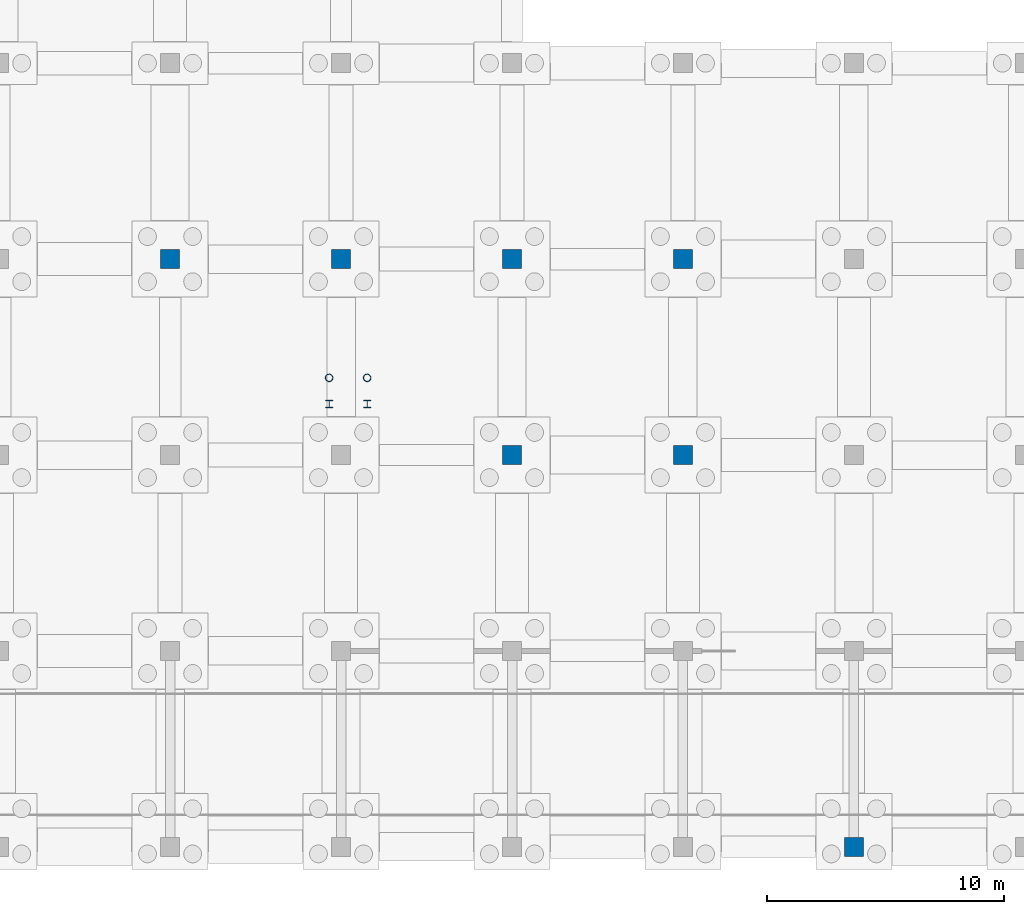
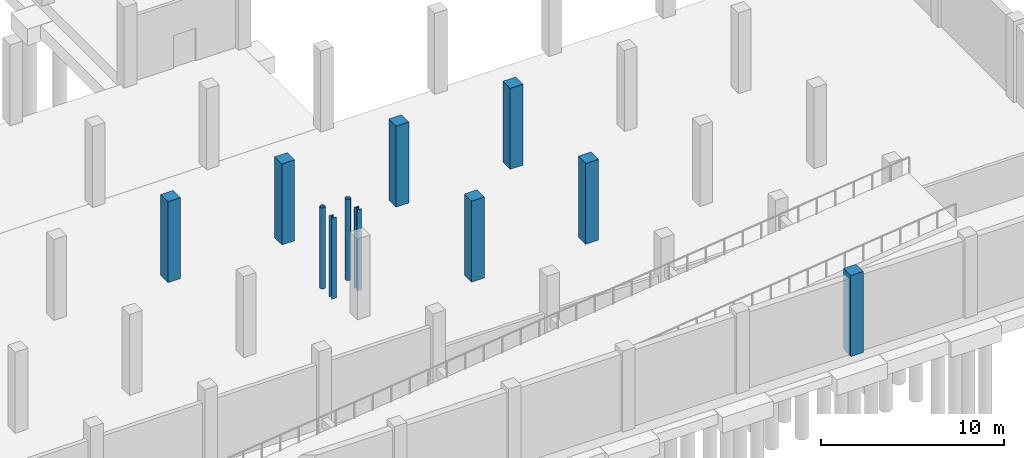
# One storey, part 19 of 42: 11 columns.
"""IFC4 building model written with IfcOpenShell, lengths in metres."""

from ifc_helpers import new_model, si_unit, direction, frame, origin, origin_2d, place, context, subcontext, project, spatial, rectangle, hollow_circle, i_section, extrude, material, material_profile, profile_set, type_object, element, save


model = new_model("IFC4")

# Units and contexts
model_context = context("Model", 3, precision=1e-05, world=origin(), true_north=direction((0.0, 1.0)))
body_context = subcontext(model_context, "Body", "Model", "MODEL_VIEW")
ifc_project = project(units=[si_unit("LENGTHUNIT", "METRE"), si_unit("AREAUNIT", "SQUARE_METRE"), si_unit("VOLUMEUNIT", "CUBIC_METRE"), si_unit("PLANEANGLEUNIT", "RADIAN"), si_unit("MASSUNIT", "GRAM", prefix="KILO")], contexts=[model_context])

# Site, building, storey
site_placement = place(None, origin())
site = spatial("IfcSite", under=ifc_project, at=site_placement, CompositionType="ELEMENT")
building_placement = place(site_placement, origin())
building = spatial("IfcBuilding", under=site, at=building_placement, Name="Sundgate Opera House", CompositionType="ELEMENT")
storey_placement = place(building_placement, frame((0.0, 0.0, -5.39990234375)))
storey = spatial("IfcBuildingStorey", under=building, at=storey_placement, Name="B01", CompositionType="ELEMENT", Elevation=-5.39990234375)

# Columns
ifc_material_1 = material(Name="Steel S355J2", Category="steel")
ifc_material_profile_1 = material_profile(ifc_material_1, hollow_circle(Radius=0.161865234375, WallThickness=0.01611328125, at=origin_2d()), Name="CHS 323.9x16.0")
ifc_profile_set_1 = profile_set([ifc_material_profile_1], Name="Steel S355J2")
column_type_1 = type_object("IfcColumnType", Name="CL-CHS-324", PredefinedType="COLUMN", material=ifc_profile_set_1)
for number, where, z_axis, x_axis, name in (
    (1, (138.10009765625, 19.75, 0.0), (0.0, 0.0, 1.0), (1.0, 0.0, 0.0), "Paint-Frame Scenic Gallery Straight Stair Post C B01"),
    (2, (139.699951171875, 19.75, 0.0), (0.0, 0.0, 1.0), (1.0, 0.0, 0.0), "Paint-Frame Scenic Gallery Straight Stair Post D B01"),
):
    element("IfcColumn", number, at=place(storey_placement, frame(where, z_axis=z_axis, x_axis=x_axis)), inside=storey, type_object=column_type_1, Name=name, PredefinedType="COLUMN", context=body_context, shape_type="SweptSolid", body=[
        extrude(hollow_circle(Radius=0.161865234375, WallThickness=0.01611328125, at=origin_2d()), origin(), (0.0, 0.0, 1.0), 5.39990234375),
    ])
ifc_material_2 = material(Name="Concrete C40/50", Category="concrete")
ifc_material_profile_2 = material_profile(ifc_material_2, rectangle(XDim=0.800048828125, YDim=0.800048828125, at=origin_2d()), Name="RC 800x800")
ifc_profile_set_2 = profile_set([ifc_material_profile_2], Name="Concrete C40/50")
column_type_2 = type_object("IfcColumnType", Name="CL-RC-800", PredefinedType="COLUMN", material=ifc_profile_set_2)
for number, where, z_axis, x_axis, name in (
    (3, (131.39990234375, 24.75, 0.0), (0.0, 0.0, 1.0), (1.0, 0.0, 0.0), "B01 Column C0955"),
    (4, (138.60009765625, 24.75, 0.0), (0.0, 0.0, 1.0), (1.0, 0.0, 0.0), "B01 Column C1005"),
    (5, (145.800048828125, 16.5, 0.0), (0.0, 0.0, 1.0), (1.0, 0.0, 0.0), "B01 Column C1055"),
    (6, (145.800048828125, 24.75, 0.0), (0.0, 0.0, 1.0), (1.0, 0.0, 0.0), "B01 Column C1059"),
    (7, (153.0, 16.5, 0.0), (0.0, 0.0, 1.0), (1.0, 0.0, 0.0), "B01 Column C1110"),
    (8, (153.0, 24.75, 0.0), (0.0, 0.0, 1.0), (1.0, 0.0, 0.0), "B01 Column C1114"),
    (9, (160.199951171875, 0.0, 0.0), (0.0, 0.0, 1.0), (1.0, 0.0, 0.0), "B01 Column C1149"),
):
    element("IfcColumn", number, at=place(storey_placement, frame(where, z_axis=z_axis, x_axis=x_axis)), inside=storey, type_object=column_type_2, Name=name, PredefinedType="COLUMN", context=body_context, shape_type="SweptSolid", body=[
        extrude(rectangle(XDim=0.800048828125, YDim=0.800048828125, at=origin_2d()), origin(), (0.0, 0.0, 1.0), 5.39990234375),
    ])
ifc_material_3 = material(Name="Steel S355J2", Category="steel")
ifc_material_profile_3 = material_profile(ifc_material_3, i_section(OverallWidth=0.300048828125, OverallDepth=0.300048828125, WebThickness=0.010986328125, FlangeThickness=0.01904296875, at=origin_2d()), Name="HEB 300")
ifc_profile_set_3 = profile_set([ifc_material_profile_3], Name="Steel S355J2")
column_type_3 = type_object("IfcColumnType", Name="CL-STL-300", PredefinedType="COLUMN", material=ifc_profile_set_3)
for number, where, z_axis, x_axis, name in (
    (10, (138.10009765625, 18.64990234375, 0.0), (0.0, 0.0, 1.0), (1.0, 0.0, 0.0), "Paint-Frame Scenic Gallery Straight Stair Post A B01"),
    (11, (139.699951171875, 18.64990234375, 0.0), (0.0, 0.0, 1.0), (1.0, 0.0, 0.0), "Paint-Frame Scenic Gallery Straight Stair Post B B01"),
):
    element("IfcColumn", number, at=place(storey_placement, frame(where, z_axis=z_axis, x_axis=x_axis)), inside=storey, type_object=column_type_3, Name=name, PredefinedType="COLUMN", context=body_context, shape_type="SweptSolid", body=[
        extrude(i_section(OverallWidth=0.300048828125, OverallDepth=0.300048828125, WebThickness=0.010986328125, FlangeThickness=0.01904296875, at=origin_2d()), origin(), (0.0, 0.0, 1.0), 5.39990234375),
    ])

save(model, "model.ifc")
